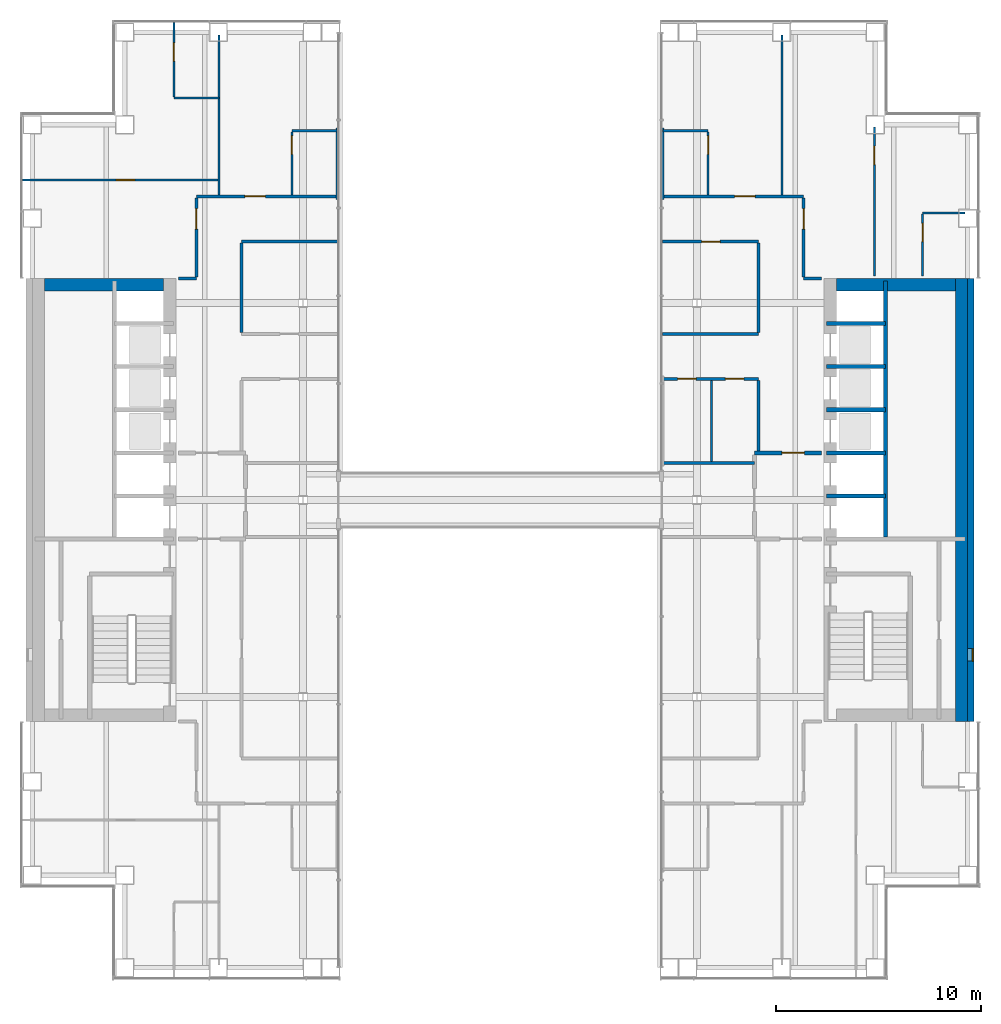
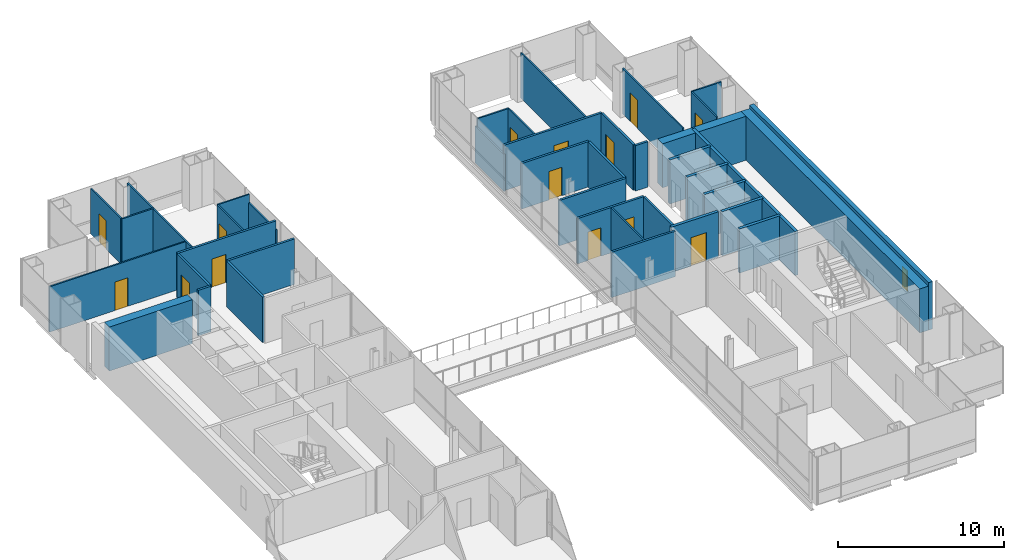
# One storey, part 13 of 16: 40 walls, 14 doors, 1 window, 15 openings.
"""IFC4 building model written with IfcOpenShell, lengths in metres."""

from ifc_helpers import new_model, si_unit, direction, frame, frame_2d, origin, place, context, subcontext, project, spatial, rectangle, extrude, material, layer, layer_set, type_object, element, fill, save


model = new_model("IFC4")

# Units and contexts
model_context = context("Model", 3, precision=1e-05, world=origin(), true_north=direction((0.0, 1.0)))
body_context = subcontext(model_context, "Body", "Model", "MODEL_VIEW")
ifc_project = project(units=[si_unit("LENGTHUNIT", "METRE"), si_unit("AREAUNIT", "SQUARE_METRE"), si_unit("VOLUMEUNIT", "CUBIC_METRE"), si_unit("PLANEANGLEUNIT", "RADIAN"), si_unit("MASSUNIT", "GRAM", prefix="KILO")], contexts=[model_context])

# Site, building, storey
site_placement = place(None, origin())
site = spatial("IfcSite", under=ifc_project, at=site_placement, CompositionType="ELEMENT")
building_placement = place(site_placement, origin())
building = spatial("IfcBuilding", under=site, at=building_placement, Name="Cobrizo Arcos Hotel Tower", CompositionType="ELEMENT")
storey_placement = place(building_placement, frame((0.0, 0.0, 120.5)))
storey = spatial("IfcBuildingStorey", under=building, at=storey_placement, Name="L30", CompositionType="ELEMENT", Elevation=120.5)

# Wall
ifc_material_1 = material(Name="Gypsum board partition")
ifc_layer_1 = layer(ifc_material_1, 0.14990234375)
ifc_layer_set_1 = layer_set([ifc_layer_1], Name="Corridor wall EI 60 150")
wall_type_1 = type_object("IfcWallType", Name="Corridor wall EI 60 150", PredefinedType="PARTITIONING", material=ifc_layer_set_1)
wall_1_placement = place(storey_placement, frame((7.949951171875, 1.800048828125, 0.0), z_axis=(0.0, 0.0, 1.0), x_axis=(1.0, 0.0, 0.0)))
element("IfcWall", 1, at=wall_1_placement, inside=storey, type_object=wall_type_1, Name="Partition 023", PredefinedType="PARTITIONING", context=body_context, shape_type="SweptSolid", body=[
    extrude(rectangle(XDim=4.449951171875, YDim=0.14990234375, at=frame_2d((2.22509765625, 0.0))), origin(), (0.0, 0.0, 1.0), 3.35009765625),
])

# Wall, openings, doors
wall_2_placement = place(storey_placement, frame((7.949951171875, 5.89990234375, 0.0), z_axis=(0.0, 0.0, 1.0), x_axis=(1.0, 0.0, 0.0)))
wall_2 = element("IfcWall", 2, at=wall_2_placement, inside=storey, type_object=wall_type_1, Name="Partition 031", PredefinedType="PARTITIONING", context=body_context, shape_type="SweptSolid", body=[
    extrude(rectangle(XDim=4.650146484375, YDim=0.14990234375, at=frame_2d((2.3251953125, 0.0))), origin(), (0.0, 0.0, 1.0), 3.35009765625),
])
opening_1_placement = place(wall_2_placement, frame((0.712890625, 0.0, 0.0)))
opening_1 = element("IfcOpeningElement", 3, at=opening_1_placement, cuts=wall_2, Name="Opening ED-10", PredefinedType="OPENING", context=body_context, shape_type="SweptSolid", body=[
    extrude(rectangle(XDim=0.89990234375, YDim=2.10009765625, at=frame_2d((0.449951171875, 1.050048828125))), frame((0.0, 0.0869140625, 0.0), z_axis=(0.0, -1.0, 0.0), x_axis=(1.0, 0.0, 0.0)), (0.0, 0.0, 1.0), 0.173828125),
])
opening_2_placement = place(wall_2_placement, frame((3.037109375, 0.0, 0.0)))
opening_2 = element("IfcOpeningElement", 4, at=opening_2_placement, cuts=wall_2, Name="Opening ED-11", PredefinedType="OPENING", context=body_context, shape_type="SweptSolid", body=[
    extrude(rectangle(XDim=0.89990234375, YDim=2.10009765625, at=frame_2d((0.449951171875, 1.050048828125))), frame((0.0, 0.0869140625, 0.0), z_axis=(0.0, -1.0, 0.0), x_axis=(1.0, 0.0, 0.0)), (0.0, 0.0, 1.0), 0.173828125),
])
ifc_material_2 = material(Name="Timber door leaf", Category="wood")
door_type_1 = type_object("IfcDoorType", Name="En-suite door 900x2100", OperationType="SINGLE_SWING_LEFT", PredefinedType="DOOR", material=ifc_material_2)
door_1_placement = place(opening_1_placement, origin())
door_1 = element("IfcDoor", 5, at=door_1_placement, inside=storey, type_object=door_type_1, Name="Door ED-10", OperationType="SINGLE_SWING_LEFT", OverallHeight=2.10009765625, OverallWidth=0.89990234375, PredefinedType="DOOR", context=body_context, shape_type="SweptSolid", body=[
    extrude(rectangle(XDim=0.89990234375, YDim=2.10009765625, at=frame_2d((0.449951171875, 1.050048828125))), frame((0.0, 0.02490234375, 0.0), z_axis=(0.0, -1.0, 0.0), x_axis=(1.0, 0.0, 0.0)), (0.0, 0.0, 1.0), 0.050048828125),
])
fill(opening_1, door_1)
door_2_placement = place(opening_2_placement, origin())
door_2 = element("IfcDoor", 6, at=door_2_placement, inside=storey, type_object=door_type_1, Name="Door ED-11", OperationType="SINGLE_SWING_RIGHT", OverallHeight=2.10009765625, OverallWidth=0.89990234375, PredefinedType="DOOR", context=body_context, shape_type="SweptSolid", body=[
    extrude(rectangle(XDim=0.89990234375, YDim=2.10009765625, at=frame_2d((0.449951171875, 1.050048828125))), frame((0.0, 0.02490234375, 0.0), z_axis=(0.0, -1.0, 0.0), x_axis=(1.0, 0.0, 0.0)), (0.0, 0.0, 1.0), 0.050048828125),
])
fill(opening_2, door_2)

# Walls
wall_3_placement = place(storey_placement, frame((7.919921875, 8.10009765625, 0.0), z_axis=(0.0, 0.0, 1.0), x_axis=(1.0, 0.0, 0.0)))
element("IfcWall", 7, at=wall_3_placement, inside=storey, type_object=wall_type_1, Name="Partition 035", PredefinedType="PARTITIONING", context=body_context, shape_type="SweptSolid", body=[
    extrude(rectangle(XDim=4.68017578125, YDim=0.14990234375, at=frame_2d((2.340087890625, 0.0))), origin(), (0.0, 0.0, 1.0), 3.35009765625),
])
for number, where, z_axis, x_axis, name in (
    (8, (-15.679931640625, 10.800048828125, 0.0), (0.0, 0.0, 1.0), (1.0, 0.0, 0.0), "Partition 038"),
    (9, (14.800048828125, 10.800048828125, 0.0), (0.0, 0.0, 1.0), (1.0, 0.0, 0.0), "Partition 039"),
):
    element("IfcWall", number, at=place(storey_placement, frame(where, z_axis=z_axis, x_axis=x_axis)), inside=storey, type_object=wall_type_1, Name=name, PredefinedType="PARTITIONING", context=body_context, shape_type="SweptSolid", body=[
        extrude(rectangle(XDim=0.8798828125, YDim=0.14990234375, at=frame_2d((0.43994140625, 0.0))), origin(), (0.0, 0.0, 1.0), 3.35009765625),
    ])
wall_4_placement = place(storey_placement, frame((-12.60009765625, 12.60009765625, 0.0), z_axis=(0.0, 0.0, 1.0), x_axis=(1.0, 0.0, 0.0)))
element("IfcWall", 10, at=wall_4_placement, inside=storey, type_object=wall_type_1, Name="Partition 040", PredefinedType="PARTITIONING", context=body_context, shape_type="SweptSolid", body=[
    extrude(rectangle(XDim=4.68017578125, YDim=0.14990234375, at=frame_2d((2.340087890625, 0.0))), origin(), (0.0, 0.0, 1.0), 3.35009765625),
])

# Wall, opening, door
wall_5_placement = place(storey_placement, frame((7.919921875, 12.60009765625, 0.0), z_axis=(0.0, 0.0, 1.0), x_axis=(1.0, 0.0, 0.0)))
wall_5 = element("IfcWall", 11, at=wall_5_placement, inside=storey, type_object=wall_type_1, Name="Partition 041", PredefinedType="PARTITIONING", context=body_context, shape_type="SweptSolid", body=[
    extrude(rectangle(XDim=4.68017578125, YDim=0.14990234375, at=frame_2d((2.340087890625, 0.0))), origin(), (0.0, 0.0, 1.0), 3.35009765625),
])
opening_3_placement = place(wall_5_placement, frame((1.905029296875, 0.0, 0.0)))
opening_3 = element("IfcOpeningElement", 12, at=opening_3_placement, cuts=wall_5, Name="Opening RD-07", PredefinedType="OPENING", context=body_context, shape_type="SweptSolid", body=[
    extrude(rectangle(XDim=0.89990234375, YDim=2.10009765625, at=frame_2d((0.449951171875, 1.050048828125))), frame((0.0, 0.0869140625, 0.0), z_axis=(0.0, -1.0, 0.0), x_axis=(1.0, 0.0, 0.0)), (0.0, 0.0, 1.0), 0.173828125),
])
door_type_2 = type_object("IfcDoorType", Name="Room door FD30 900x2100", OperationType="SINGLE_SWING_LEFT", PredefinedType="DOOR", material=ifc_material_2)
door_3_placement = place(opening_3_placement, origin())
door_3 = element("IfcDoor", 13, at=door_3_placement, inside=storey, type_object=door_type_2, Name="Door RD-07", OperationType="SINGLE_SWING_RIGHT", OverallHeight=2.10009765625, OverallWidth=0.89990234375, PredefinedType="DOOR", context=body_context, shape_type="SweptSolid", body=[
    extrude(rectangle(XDim=0.89990234375, YDim=2.10009765625, at=frame_2d((0.449951171875, 1.050048828125))), frame((0.0, 0.02490234375, 0.0), z_axis=(0.0, -1.0, 0.0), x_axis=(1.0, 0.0, 0.0)), (0.0, 0.0, 1.0), 0.050048828125),
])
fill(opening_3, door_3)

wall_6_placement = place(storey_placement, frame((-14.800048828125, 14.800048828125, 0.0), z_axis=(0.0, 0.0, 1.0), x_axis=(1.0, 0.0, 0.0)))
wall_6 = element("IfcWall", 14, at=wall_6_placement, inside=storey, type_object=wall_type_1, Name="Partition 043", PredefinedType="PARTITIONING", context=body_context, shape_type="SweptSolid", body=[
    extrude(rectangle(XDim=6.85009765625, YDim=0.14990234375, at=frame_2d((3.425048828125, 0.0))), origin(), (0.0, 0.0, 1.0), 3.35009765625),
])
opening_4_placement = place(wall_6_placement, frame((2.363037109375, 0.0, 0.0)))
opening_4 = element("IfcOpeningElement", 15, at=opening_4_placement, cuts=wall_6, Name="Opening GD-02", PredefinedType="OPENING", context=body_context, shape_type="SweptSolid", body=[
    extrude(rectangle(XDim=1.0, YDim=2.10009765625, at=frame_2d((0.5, 1.050048828125))), frame((0.0, 0.0869140625, 0.0), z_axis=(0.0, -1.0, 0.0), x_axis=(1.0, 0.0, 0.0)), (0.0, 0.0, 1.0), 0.173828125),
])
door_type_3 = type_object("IfcDoorType", Name="Guest room door FD30S 1000x2100", OperationType="SINGLE_SWING_LEFT", PredefinedType="DOOR", material=ifc_material_2)
door_4_placement = place(opening_4_placement, origin())
door_4 = element("IfcDoor", 16, at=door_4_placement, inside=storey, type_object=door_type_3, Name="Door GD-02", OperationType="SINGLE_SWING_RIGHT", OverallHeight=2.10009765625, OverallWidth=1.0, PredefinedType="DOOR", context=body_context, shape_type="SweptSolid", body=[
    extrude(rectangle(XDim=1.0, YDim=2.10009765625, at=frame_2d((0.5, 1.050048828125))), frame((0.0, 0.02490234375, 0.0), z_axis=(0.0, -1.0, 0.0), x_axis=(1.0, 0.0, 0.0)), (0.0, 0.0, 1.0), 0.050048828125),
])
fill(opening_4, door_4)

wall_7_placement = place(storey_placement, frame((7.949951171875, 14.800048828125, 0.0), z_axis=(0.0, 0.0, 1.0), x_axis=(1.0, 0.0, 0.0)))
wall_7 = element("IfcWall", 17, at=wall_7_placement, inside=storey, type_object=wall_type_1, Name="Partition 044", PredefinedType="PARTITIONING", context=body_context, shape_type="SweptSolid", body=[
    extrude(rectangle(XDim=6.85009765625, YDim=0.14990234375, at=frame_2d((3.425048828125, 0.0))), origin(), (0.0, 0.0, 1.0), 3.35009765625),
])
opening_5_placement = place(wall_7_placement, frame((3.487060546875, 0.0, 0.0)))
opening_5 = element("IfcOpeningElement", 18, at=opening_5_placement, cuts=wall_7, Name="Opening GD-01", PredefinedType="OPENING", context=body_context, shape_type="SweptSolid", body=[
    extrude(rectangle(XDim=1.0, YDim=2.10009765625, at=frame_2d((0.5, 1.050048828125))), frame((0.0, 0.0869140625, 0.0), z_axis=(0.0, -1.0, 0.0), x_axis=(1.0, 0.0, 0.0)), (0.0, 0.0, 1.0), 0.173828125),
])
door_5_placement = place(opening_5_placement, origin())
door_5 = element("IfcDoor", 19, at=door_5_placement, inside=storey, type_object=door_type_3, Name="Door GD-01", OperationType="SINGLE_SWING_RIGHT", OverallHeight=2.10009765625, OverallWidth=1.0, PredefinedType="DOOR", context=body_context, shape_type="SweptSolid", body=[
    extrude(rectangle(XDim=1.0, YDim=2.10009765625, at=frame_2d((0.5, 1.050048828125))), frame((0.0, 0.02490234375, 0.0), z_axis=(0.0, -1.0, 0.0), x_axis=(1.0, 0.0, 0.0)), (0.0, 0.0, 1.0), 0.050048828125),
])
fill(opening_5, door_5)

wall_8_placement = place(storey_placement, frame((-14.800048828125, 10.875, 0.0), z_axis=(0.0, 0.0, 1.0), x_axis=(0.0, 1.0, 0.0)))
wall_8 = element("IfcWall", 20, at=wall_8_placement, inside=storey, type_object=wall_type_1, Name="Partition 055", PredefinedType="PARTITIONING", context=body_context, shape_type="SweptSolid", body=[
    extrude(rectangle(XDim=3.85009765625, YDim=0.14990234375, at=frame_2d((1.925048828125, 0.0))), origin(), (0.0, 0.0, 1.0), 3.35009765625),
])
opening_6_placement = place(wall_8_placement, frame((2.324951171875, 0.0, 0.0)))
opening_6 = element("IfcOpeningElement", 21, at=opening_6_placement, cuts=wall_8, Name="Opening GD-06", PredefinedType="OPENING", context=body_context, shape_type="SweptSolid", body=[
    extrude(rectangle(XDim=1.0, YDim=2.10009765625, at=frame_2d((0.5, 1.050048828125))), frame((0.0, 0.0869140625, 0.0), z_axis=(0.0, -1.0, 0.0), x_axis=(1.0, 0.0, 0.0)), (0.0, 0.0, 1.0), 0.173828125),
])
door_6_placement = place(opening_6_placement, origin())
door_6 = element("IfcDoor", 22, at=door_6_placement, inside=storey, type_object=door_type_3, Name="Door GD-06", OperationType="SINGLE_SWING_LEFT", OverallHeight=2.10009765625, OverallWidth=1.0, PredefinedType="DOOR", context=body_context, shape_type="SweptSolid", body=[
    extrude(rectangle(XDim=1.0, YDim=2.10009765625, at=frame_2d((0.5, 1.050048828125))), frame((0.0, 0.02490234375, 0.0), z_axis=(0.0, -1.0, 0.0), x_axis=(1.0, 0.0, 0.0)), (0.0, 0.0, 1.0), 0.050048828125),
])
fill(opening_6, door_6)

# Walls
wall_9_placement = place(storey_placement, frame((-12.60009765625, 8.175048828125, 0.0), z_axis=(0.0, 0.0, 1.0), x_axis=(0.0, 1.0, 0.0)))
element("IfcWall", 23, at=wall_9_placement, inside=storey, type_object=wall_type_1, Name="Partition 060", PredefinedType="PARTITIONING", context=body_context, shape_type="SweptSolid", body=[
    extrude(rectangle(XDim=4.349853515625, YDim=0.14990234375, at=frame_2d((2.1748046875, 0.0))), origin(), (0.0, 0.0, 1.0), 3.35009765625),
])
wall_10_placement = place(storey_placement, frame((12.60009765625, 2.39990234375, 0.0), z_axis=(0.0, 0.0, 1.0), x_axis=(0.0, 1.0, 0.0)))
element("IfcWall", 24, at=wall_10_placement, inside=storey, type_object=wall_type_1, Name="Partition 074", PredefinedType="PARTITIONING", context=body_context, shape_type="SweptSolid", body=[
    extrude(rectangle(XDim=3.425048828125, YDim=0.14990234375, at=frame_2d((1.71240234375, 0.0))), origin(), (0.0, 0.0, 1.0), 3.35009765625),
])
wall_11_placement = place(storey_placement, frame((12.60009765625, 8.175048828125, 0.0), z_axis=(0.0, 0.0, 1.0), x_axis=(0.0, 1.0, 0.0)))
element("IfcWall", 25, at=wall_11_placement, inside=storey, type_object=wall_type_1, Name="Partition 075", PredefinedType="PARTITIONING", context=body_context, shape_type="SweptSolid", body=[
    extrude(rectangle(XDim=4.349853515625, YDim=0.14990234375, at=frame_2d((2.1748046875, 0.0))), origin(), (0.0, 0.0, 1.0), 3.35009765625),
])

# Wall, opening, door
wall_12_placement = place(storey_placement, frame((14.800048828125, 10.875, 0.0), z_axis=(0.0, 0.0, 1.0), x_axis=(0.0, 1.0, 0.0)))
wall_12 = element("IfcWall", 26, at=wall_12_placement, inside=storey, type_object=wall_type_1, Name="Partition 079", PredefinedType="PARTITIONING", context=body_context, shape_type="SweptSolid", body=[
    extrude(rectangle(XDim=3.85009765625, YDim=0.14990234375, at=frame_2d((1.925048828125, 0.0))), origin(), (0.0, 0.0, 1.0), 3.35009765625),
])
opening_7_placement = place(wall_12_placement, frame((2.324951171875, 0.0, 0.0)))
opening_7 = element("IfcOpeningElement", 27, at=opening_7_placement, cuts=wall_12, Name="Opening GD-08", PredefinedType="OPENING", context=body_context, shape_type="SweptSolid", body=[
    extrude(rectangle(XDim=1.0, YDim=2.10009765625, at=frame_2d((0.5, 1.050048828125))), frame((0.0, 0.0869140625, 0.0), z_axis=(0.0, -1.0, 0.0), x_axis=(1.0, 0.0, 0.0)), (0.0, 0.0, 1.0), 0.173828125),
])
door_7_placement = place(opening_7_placement, origin())
door_7 = element("IfcDoor", 28, at=door_7_placement, inside=storey, type_object=door_type_3, Name="Door GD-08", OperationType="SINGLE_SWING_RIGHT", OverallHeight=2.10009765625, OverallWidth=1.0, PredefinedType="DOOR", context=body_context, shape_type="SweptSolid", body=[
    extrude(rectangle(XDim=1.0, YDim=2.10009765625, at=frame_2d((0.5, 1.050048828125))), frame((0.0, 0.02490234375, 0.0), z_axis=(0.0, -1.0, 0.0), x_axis=(1.0, 0.0, 0.0)), (0.0, 0.0, 1.0), 0.050048828125),
])
fill(opening_7, door_7)

# Wall, opening, window
ifc_material_3 = material(Name="Aluminium composite panel pale metal", Category="aluminium")
ifc_layer_2 = layer(ifc_material_3, 0.300048828125)
ifc_layer_set_2 = layer_set([ifc_layer_2], Name="EW-1 insulated panel wall 300")
wall_type_2 = type_object("IfcWallType", Name="EW-1 insulated panel wall 300", PredefinedType="SOLIDWALL", material=ifc_layer_set_2)
wall_13_placement = place(storey_placement, frame((22.949951171875, -10.800048828125, 0.0), z_axis=(0.0, 0.0, 1.0), x_axis=(0.0, 1.0, 0.0)))
wall_13 = element("IfcWall", 29, at=wall_13_placement, inside=storey, type_object=wall_type_2, Name="Core face wall L30 E", PredefinedType="SOLIDWALL", context=body_context, shape_type="SweptSolid", body=[
    extrude(rectangle(XDim=21.60009765625, YDim=0.300048828125, at=frame_2d((10.800048828125, 0.0))), origin(), (0.0, 0.0, 1.0), 3.5),
])
opening_8_placement = place(wall_13_placement, frame((2.949951171875, 0.0, 1.0)))
opening_8 = element("IfcOpeningElement", 30, at=opening_8_placement, cuts=wall_13, Name="Opening W-61", PredefinedType="OPENING", context=body_context, shape_type="SweptSolid", body=[
    extrude(rectangle(XDim=0.60009765625, YDim=1.5, at=frame_2d((0.300048828125, 0.75))), frame((0.0, 0.162109375, 0.0), z_axis=(0.0, -1.0, 0.0), x_axis=(1.0, 0.0, 0.0)), (0.0, 0.0, 1.0), 0.323974609375),
])
ifc_material_4 = material(Name="Aluminium 6063-T6 and clear laminated glass", Category="aluminium")
window_type = type_object("IfcWindowType", Name="W-C1 core stair slot window 600x1500", PartitioningType="SINGLE_PANEL", PredefinedType="WINDOW", material=ifc_material_4)
window_placement = place(opening_8_placement, origin())
window = element("IfcWindow", 31, at=window_placement, inside=storey, type_object=window_type, Name="Core face wall L30 E window W-61", OverallHeight=1.5, OverallWidth=0.60009765625, PartitioningType="SINGLE_PANEL", PredefinedType="WINDOW", context=body_context, shape_type="SweptSolid", body=[
    extrude(rectangle(XDim=0.60009765625, YDim=1.5, at=frame_2d((0.300048828125, 0.75))), frame((0.0, -0.06005859375, 0.0), z_axis=(0.0, -1.0, 0.0), x_axis=(1.0, 0.0, 0.0)), (0.0, 0.0, 1.0), 0.06005859375),
])
fill(opening_8, window)

# Wall
ifc_layer_3 = layer(ifc_material_1, 0.10009765625)
ifc_layer_set_3 = layer_set([ifc_layer_3], Name="Partition EI 30 100")
wall_type_3 = type_object("IfcWallType", Name="Partition EI 30 100", PredefinedType="PARTITIONING", material=ifc_layer_set_3)
wall_14_placement = place(storey_placement, frame((20.60009765625, 14.0, 0.0), z_axis=(0.0, 0.0, 1.0), x_axis=(1.0, 0.0, 0.0)))
element("IfcWall", 32, at=wall_14_placement, inside=storey, type_object=wall_type_3, Name="Partition 042", PredefinedType="PARTITIONING", context=body_context, shape_type="SweptSolid", body=[
    extrude(rectangle(XDim=2.079833984375, YDim=0.10009765625, at=frame_2d((1.0400390625, 0.0))), origin(), (0.0, 0.0, 1.0), 3.35009765625),
])

# Wall, opening, door
wall_15_placement = place(storey_placement, frame((-23.280029296875, 15.60009765625, 0.0), z_axis=(0.0, 0.0, 1.0), x_axis=(1.0, 0.0, 0.0)))
wall_15 = element("IfcWall", 33, at=wall_15_placement, inside=storey, type_object=wall_type_3, Name="Partition 045", PredefinedType="PARTITIONING", context=body_context, shape_type="SweptSolid", body=[
    extrude(rectangle(XDim=9.580078125, YDim=0.10009765625, at=frame_2d((4.7900390625, 0.0))), origin(), (0.0, 0.0, 1.0), 3.35009765625),
])
opening_9_placement = place(wall_15_placement, frame((4.568115234375, 0.0, 0.0)))
opening_9 = element("IfcOpeningElement", 34, at=opening_9_placement, cuts=wall_15, Name="Opening RD-03", PredefinedType="OPENING", context=body_context, shape_type="SweptSolid", body=[
    extrude(rectangle(XDim=0.89990234375, YDim=2.10009765625, at=frame_2d((0.449951171875, 1.050048828125))), frame((0.0, 0.06201171875, 0.0), z_axis=(0.0, -1.0, 0.0), x_axis=(1.0, 0.0, 0.0)), (0.0, 0.0, 1.0), 0.1240234375),
])
door_8_placement = place(opening_9_placement, origin())
door_8 = element("IfcDoor", 35, at=door_8_placement, inside=storey, type_object=door_type_2, Name="Door RD-03", OperationType="SINGLE_SWING_RIGHT", OverallHeight=2.10009765625, OverallWidth=0.89990234375, PredefinedType="DOOR", context=body_context, shape_type="SweptSolid", body=[
    extrude(rectangle(XDim=0.89990234375, YDim=2.10009765625, at=frame_2d((0.449951171875, 1.050048828125))), frame((0.0, 0.02490234375, 0.0), z_axis=(0.0, -1.0, 0.0), x_axis=(1.0, 0.0, 0.0)), (0.0, 0.0, 1.0), 0.050048828125),
])
fill(opening_9, door_8)

# Walls
for number, where, z_axis, x_axis, name in (
    (36, (-10.14990234375, 18.0, 0.0), (0.0, 0.0, 1.0), (1.0, 0.0, 0.0), "Partition 046"),
    (37, (7.949951171875, 18.0, 0.0), (0.0, 0.0, 1.0), (1.0, 0.0, 0.0), "Partition 047"),
    (38, (-15.89990234375, 19.60009765625, 0.0), (0.0, 0.0, 1.0), (1.0, 0.0, 0.0), "Partition 048"),
):
    element("IfcWall", number, at=place(storey_placement, frame(where, z_axis=z_axis, x_axis=x_axis)), inside=storey, type_object=wall_type_3, Name=name, PredefinedType="PARTITIONING", context=body_context, shape_type="SweptSolid", body=[
        extrude(rectangle(XDim=2.199951171875, YDim=0.10009765625, at=frame_2d((1.10009765625, 0.0))), origin(), (0.0, 0.0, 1.0), 3.35009765625),
    ])

# Wall, opening, door
wall_16_placement = place(storey_placement, frame((-15.89990234375, 19.64990234375, 0.0), z_axis=(0.0, 0.0, 1.0), x_axis=(0.0, 1.0, 0.0)))
wall_16 = element("IfcWall", 39, at=wall_16_placement, inside=storey, type_object=wall_type_3, Name="Partition 053", PredefinedType="PARTITIONING", context=body_context, shape_type="SweptSolid", body=[
    extrude(rectangle(XDim=3.630126953125, YDim=0.10009765625, at=frame_2d((1.81494140625, 0.0))), origin(), (0.0, 0.0, 1.0), 3.35009765625),
])
opening_10_placement = place(wall_16_placement, frame((1.739990234375, 0.0, 0.0)))
opening_10 = element("IfcOpeningElement", 40, at=opening_10_placement, cuts=wall_16, Name="Opening ED-07", PredefinedType="OPENING", context=body_context, shape_type="SweptSolid", body=[
    extrude(rectangle(XDim=0.89990234375, YDim=2.10009765625, at=frame_2d((0.449951171875, 1.050048828125))), frame((0.0, 0.06201171875, 0.0), z_axis=(0.0, -1.0, 0.0), x_axis=(1.0, 0.0, 0.0)), (0.0, 0.0, 1.0), 0.1240234375),
])
door_9_placement = place(opening_10_placement, origin())
door_9 = element("IfcDoor", 41, at=door_9_placement, inside=storey, type_object=door_type_1, Name="Door ED-07", OperationType="SINGLE_SWING_RIGHT", OverallHeight=2.10009765625, OverallWidth=0.89990234375, PredefinedType="DOOR", context=body_context, shape_type="SweptSolid", body=[
    extrude(rectangle(XDim=0.89990234375, YDim=2.10009765625, at=frame_2d((0.449951171875, 1.050048828125))), frame((0.0, 0.02490234375, 0.0), z_axis=(0.0, -1.0, 0.0), x_axis=(1.0, 0.0, 0.0)), (0.0, 0.0, 1.0), 0.050048828125),
])
fill(opening_10, door_9)

# Wall
wall_17_placement = place(storey_placement, frame((-13.699951171875, 14.875, 0.0), z_axis=(0.0, 0.0, 1.0), x_axis=(0.0, 1.0, 0.0)))
element("IfcWall", 42, at=wall_17_placement, inside=storey, type_object=wall_type_3, Name="Partition 057", PredefinedType="PARTITIONING", context=body_context, shape_type="SweptSolid", body=[
    extrude(rectangle(XDim=7.804931640625, YDim=0.10009765625, at=frame_2d((3.90234375, 0.0))), origin(), (0.0, 0.0, 1.0), 3.35009765625),
])

# Wall, opening, door
wall_18_placement = place(storey_placement, frame((-10.14990234375, 14.875, 0.0), z_axis=(0.0, 0.0, 1.0), x_axis=(0.0, 1.0, 0.0)))
wall_18 = element("IfcWall", 43, at=wall_18_placement, inside=storey, type_object=wall_type_3, Name="Partition 063", PredefinedType="PARTITIONING", context=body_context, shape_type="SweptSolid", body=[
    extrude(rectangle(XDim=3.074951171875, YDim=0.10009765625, at=frame_2d((1.53759765625, 0.0))), origin(), (0.0, 0.0, 1.0), 3.35009765625),
])
opening_11_placement = place(wall_18_placement, frame((1.970947265625, 0.0, 0.0)))
opening_11 = element("IfcOpeningElement", 44, at=opening_11_placement, cuts=wall_18, Name="Opening ED-03", PredefinedType="OPENING", context=body_context, shape_type="SweptSolid", body=[
    extrude(rectangle(XDim=0.89990234375, YDim=2.10009765625, at=frame_2d((0.449951171875, 1.050048828125))), frame((0.0, 0.06201171875, 0.0), z_axis=(0.0, -1.0, 0.0), x_axis=(1.0, 0.0, 0.0)), (0.0, 0.0, 1.0), 0.1240234375),
])
door_10_placement = place(opening_11_placement, origin())
door_10 = element("IfcDoor", 45, at=door_10_placement, inside=storey, type_object=door_type_1, Name="Door ED-03", OperationType="SINGLE_SWING_LEFT", OverallHeight=2.10009765625, OverallWidth=0.89990234375, PredefinedType="DOOR", context=body_context, shape_type="SweptSolid", body=[
    extrude(rectangle(XDim=0.89990234375, YDim=2.10009765625, at=frame_2d((0.449951171875, 1.050048828125))), frame((0.0, 0.02490234375, 0.0), z_axis=(0.0, -1.0, 0.0), x_axis=(1.0, 0.0, 0.0)), (0.0, 0.0, 1.0), 0.050048828125),
])
fill(opening_11, door_10)

# Walls
for number, where, z_axis, x_axis, name in (
    (46, (-7.949951171875, 14.659912109375, 0.0), (0.0, 0.0, 1.0), (0.0, 1.0, 0.0), "Partition 065"),
    (47, (7.949951171875, 14.659912109375, 0.0), (0.0, 0.0, 1.0), (0.0, 1.0, 0.0), "Partition 068"),
):
    element("IfcWall", number, at=place(storey_placement, frame(where, z_axis=z_axis, x_axis=x_axis)), inside=storey, type_object=wall_type_3, Name=name, PredefinedType="PARTITIONING", context=body_context, shape_type="SweptSolid", body=[
        extrude(rectangle(XDim=3.47998046875, YDim=0.10009765625, at=frame_2d((1.739990234375, 0.0))), origin(), (0.0, 0.0, 1.0), 2.73291015625),
    ])

# Wall, opening, door
wall_19_placement = place(storey_placement, frame((10.14990234375, 14.875, 0.0), z_axis=(0.0, 0.0, 1.0), x_axis=(0.0, 1.0, 0.0)))
wall_19 = element("IfcWall", 48, at=wall_19_placement, inside=storey, type_object=wall_type_3, Name="Partition 070", PredefinedType="PARTITIONING", context=body_context, shape_type="SweptSolid", body=[
    extrude(rectangle(XDim=3.074951171875, YDim=0.10009765625, at=frame_2d((1.53759765625, 0.0))), origin(), (0.0, 0.0, 1.0), 3.35009765625),
])
opening_12_placement = place(wall_19_placement, frame((1.970947265625, 0.0, 0.0)))
opening_12 = element("IfcOpeningElement", 49, at=opening_12_placement, cuts=wall_19, Name="Opening ED-02", PredefinedType="OPENING", context=body_context, shape_type="SweptSolid", body=[
    extrude(rectangle(XDim=0.89990234375, YDim=2.10009765625, at=frame_2d((0.449951171875, 1.050048828125))), frame((0.0, 0.06201171875, 0.0), z_axis=(0.0, -1.0, 0.0), x_axis=(1.0, 0.0, 0.0)), (0.0, 0.0, 1.0), 0.1240234375),
])
door_11_placement = place(opening_12_placement, origin())
door_11 = element("IfcDoor", 50, at=door_11_placement, inside=storey, type_object=door_type_1, Name="Door ED-02", OperationType="SINGLE_SWING_RIGHT", OverallHeight=2.10009765625, OverallWidth=0.89990234375, PredefinedType="DOOR", context=body_context, shape_type="SweptSolid", body=[
    extrude(rectangle(XDim=0.89990234375, YDim=2.10009765625, at=frame_2d((0.449951171875, 1.050048828125))), frame((0.0, 0.02490234375, 0.0), z_axis=(0.0, -1.0, 0.0), x_axis=(1.0, 0.0, 0.0)), (0.0, 0.0, 1.0), 0.050048828125),
])
fill(opening_12, door_11)

# Walls
wall_20_placement = place(storey_placement, frame((10.300048828125, 1.875, 0.0), z_axis=(0.0, 0.0, 1.0), x_axis=(0.0, 1.0, 0.0)))
element("IfcWall", 51, at=wall_20_placement, inside=storey, type_object=wall_type_3, Name="Partition 071", PredefinedType="PARTITIONING", context=body_context, shape_type="SweptSolid", body=[
    extrude(rectangle(XDim=3.949951171875, YDim=0.10009765625, at=frame_2d((1.97509765625, 0.0))), origin(), (0.0, 0.0, 1.0), 3.35009765625),
])
wall_21_placement = place(storey_placement, frame((13.75, 14.875, 0.0), z_axis=(0.0, 0.0, 1.0), x_axis=(0.0, 1.0, 0.0)))
element("IfcWall", 52, at=wall_21_placement, inside=storey, type_object=wall_type_3, Name="Partition 077", PredefinedType="PARTITIONING", context=body_context, shape_type="SweptSolid", body=[
    extrude(rectangle(XDim=7.804931640625, YDim=0.10009765625, at=frame_2d((3.90234375, 0.0))), origin(), (0.0, 0.0, 1.0), 3.35009765625),
])

# Wall, opening, door
wall_22_placement = place(storey_placement, frame((18.25, 10.919921875, 0.0), z_axis=(0.0, 0.0, 1.0), x_axis=(0.0, 1.0, 0.0)))
wall_22 = element("IfcWall", 53, at=wall_22_placement, inside=storey, type_object=wall_type_3, Name="Partition 081", PredefinedType="PARTITIONING", context=body_context, shape_type="SweptSolid", body=[
    extrude(rectangle(XDim=7.27099609375, YDim=0.10009765625, at=frame_2d((3.635498046875, 0.0))), origin(), (0.0, 0.0, 1.0), 3.35009765625),
])
opening_13_placement = place(wall_22_placement, frame((5.429931640625, 0.0, 0.0)))
opening_13 = element("IfcOpeningElement", 54, at=opening_13_placement, cuts=wall_22, Name="Opening RD-05", PredefinedType="OPENING", context=body_context, shape_type="SweptSolid", body=[
    extrude(rectangle(XDim=0.89990234375, YDim=2.10009765625, at=frame_2d((0.449951171875, 1.050048828125))), frame((0.0, 0.06201171875, 0.0), z_axis=(0.0, -1.0, 0.0), x_axis=(1.0, 0.0, 0.0)), (0.0, 0.0, 1.0), 0.1240234375),
])
door_12_placement = place(opening_13_placement, origin())
door_12 = element("IfcDoor", 55, at=door_12_placement, inside=storey, type_object=door_type_2, Name="Door RD-05", OperationType="SINGLE_SWING_LEFT", OverallHeight=2.10009765625, OverallWidth=0.89990234375, PredefinedType="DOOR", context=body_context, shape_type="SweptSolid", body=[
    extrude(rectangle(XDim=0.89990234375, YDim=2.10009765625, at=frame_2d((0.449951171875, 1.050048828125))), frame((0.0, 0.02490234375, 0.0), z_axis=(0.0, -1.0, 0.0), x_axis=(1.0, 0.0, 0.0)), (0.0, 0.0, 1.0), 0.050048828125),
])
fill(opening_13, door_12)

wall_23_placement = place(storey_placement, frame((20.60009765625, 10.919921875, 0.0), z_axis=(0.0, 0.0, 1.0), x_axis=(0.0, 1.0, 0.0)))
wall_23 = element("IfcWall", 56, at=wall_23_placement, inside=storey, type_object=wall_type_3, Name="Partition 085", PredefinedType="PARTITIONING", context=body_context, shape_type="SweptSolid", body=[
    extrude(rectangle(XDim=3.030029296875, YDim=0.10009765625, at=frame_2d((1.51513671875, 0.0))), origin(), (0.0, 0.0, 1.0), 3.35009765625),
])
opening_14_placement = place(wall_23_placement, frame((1.669921875, 0.0, 0.0)))
opening_14 = element("IfcOpeningElement", 57, at=opening_14_placement, cuts=wall_23, Name="Opening ED-09", PredefinedType="OPENING", context=body_context, shape_type="SweptSolid", body=[
    extrude(rectangle(XDim=0.89990234375, YDim=2.10009765625, at=frame_2d((0.449951171875, 1.050048828125))), frame((0.0, 0.06201171875, 0.0), z_axis=(0.0, -1.0, 0.0), x_axis=(1.0, 0.0, 0.0)), (0.0, 0.0, 1.0), 0.1240234375),
])
door_13_placement = place(opening_14_placement, origin())
door_13 = element("IfcDoor", 58, at=door_13_placement, inside=storey, type_object=door_type_1, Name="Door ED-09", OperationType="SINGLE_SWING_LEFT", OverallHeight=2.10009765625, OverallWidth=0.89990234375, PredefinedType="DOOR", context=body_context, shape_type="SweptSolid", body=[
    extrude(rectangle(XDim=0.89990234375, YDim=2.10009765625, at=frame_2d((0.449951171875, 1.050048828125))), frame((0.0, 0.02490234375, 0.0), z_axis=(0.0, -1.0, 0.0), x_axis=(1.0, 0.0, 0.0)), (0.0, 0.0, 1.0), 0.050048828125),
])
fill(opening_14, door_13)

# Walls
ifc_material_5 = material(Name="Concrete f'c 50 MPa", Category="concrete")
ifc_layer_4 = layer(ifc_material_5, 0.60009765625)
ifc_layer_set_4 = layer_set([ifc_layer_4], Name="RC core wall 600 f'c 50")
wall_type_4 = type_object("IfcWallType", Name="RC core wall 600 f'c 50", PredefinedType="SHEAR", material=ifc_layer_set_4)
wall_24_placement = place(storey_placement, frame((22.5, -10.800048828125, 0.0), z_axis=(0.0, 0.0, 1.0), x_axis=(0.0, 1.0, 0.0)))
element("IfcWall", 59, at=wall_24_placement, inside=storey, type_object=wall_type_4, Name="Core wall CW2, east core, outer face, L30", PredefinedType="SHEAR", context=body_context, shape_type="SweptSolid", body=[
    extrude(rectangle(XDim=21.60009765625, YDim=0.60009765625, at=frame_2d((10.800048828125, 0.0))), origin(), (0.0, 0.0, 1.0), 3.25),
])
for number, where, z_axis, x_axis, name in (
    (60, (16.39990234375, 10.5, 0.0), (0.0, 0.0, 1.0), (1.0, 0.0, 0.0), "Core wall CW2, east core, north end, L30"),
    (61, (-22.199951171875, 10.5, 0.0), (0.0, 0.0, 1.0), (1.0, 0.0, 0.0), "Core wall CW2, west core, north end, L30"),
):
    element("IfcWall", number, at=place(storey_placement, frame(where, z_axis=z_axis, x_axis=x_axis)), inside=storey, type_object=wall_type_4, Name=name, PredefinedType="SHEAR", context=body_context, shape_type="SweptSolid", body=[
        extrude(rectangle(XDim=5.800048828125, YDim=0.60009765625, at=frame_2d((2.89990234375, 0.0))), origin(), (0.0, 0.0, 1.0), 3.25),
    ])
ifc_layer_5 = layer(ifc_material_1, 0.199951171875)
ifc_layer_set_5 = layer_set([ifc_layer_5], Name="Shaft wall EI 120 200")
wall_type_5 = type_object("IfcWallType", Name="Shaft wall EI 120 200", PredefinedType="PARTITIONING", material=ifc_layer_set_5)
wall_25_placement = place(storey_placement, frame((15.919921875, 0.199951171875, 0.0), z_axis=(0.0, 0.0, 1.0), x_axis=(1.0, 0.0, 0.0)))
element("IfcWall", 62, at=wall_25_placement, inside=storey, type_object=wall_type_5, Name="Partition 021", PredefinedType="PARTITIONING", context=body_context, shape_type="SweptSolid", body=[
    extrude(rectangle(XDim=2.880126953125, YDim=0.199951171875, at=frame_2d((1.43994140625, 0.0))), origin(), (0.0, 0.0, 1.0), 3.25),
])

# Wall, opening, door
wall_26_placement = place(storey_placement, frame((12.39990234375, 2.300048828125, 0.0), z_axis=(0.0, 0.0, 1.0), x_axis=(1.0, 0.0, 0.0)))
wall_26 = element("IfcWall", 63, at=wall_26_placement, inside=storey, type_object=wall_type_5, Name="Partition 026", PredefinedType="PARTITIONING", context=body_context, shape_type="SweptSolid", body=[
    extrude(rectangle(XDim=3.280029296875, YDim=0.199951171875, at=frame_2d((1.64013671875, 0.0))), origin(), (0.0, 0.0, 1.0), 3.35009765625),
])
opening_15_placement = place(wall_26_placement, frame((1.340087890625, 0.0, 0.0)))
opening_15 = element("IfcOpeningElement", 64, at=opening_15_placement, cuts=wall_26, Name="Opening FD-08", PredefinedType="OPENING", context=body_context, shape_type="SweptSolid", body=[
    extrude(rectangle(XDim=1.10009765625, YDim=2.10009765625, at=frame_2d((0.550048828125, 1.050048828125))), frame((0.0, 0.112060546875, 0.0), z_axis=(0.0, -1.0, 0.0), x_axis=(1.0, 0.0, 0.0)), (0.0, 0.0, 1.0), 0.223876953125),
])
ifc_material_6 = material(Name="Steel door leaf", Category="steel")
door_type_4 = type_object("IfcDoorType", Name="Fire door FD60 1100x2100", OperationType="SINGLE_SWING_LEFT", PredefinedType="DOOR", material=ifc_material_6)
door_14_placement = place(opening_15_placement, origin())
door_14 = element("IfcDoor", 65, at=door_14_placement, inside=storey, type_object=door_type_4, Name="Door FD-08", OperationType="SINGLE_SWING_LEFT", OverallHeight=2.10009765625, OverallWidth=1.10009765625, PredefinedType="DOOR", context=body_context, shape_type="SweptSolid", body=[
    extrude(rectangle(XDim=1.10009765625, YDim=2.10009765625, at=frame_2d((0.550048828125, 1.050048828125))), frame((0.0, 0.02490234375, 0.0), z_axis=(0.0, -1.0, 0.0), x_axis=(1.0, 0.0, 0.0)), (0.0, 0.0, 1.0), 0.050048828125),
])
fill(opening_15, door_14)

# Walls
for number, where, z_axis, x_axis, name in (
    (66, (15.919921875, 2.300048828125, 0.0), (0.0, 0.0, 1.0), (1.0, 0.0, 0.0), "Partition 027"),
    (67, (15.919921875, 4.39990234375, 0.0), (0.0, 0.0, 1.0), (1.0, 0.0, 0.0), "Partition 029"),
    (68, (15.919921875, 6.5, 0.0), (0.0, 0.0, 1.0), (1.0, 0.0, 0.0), "Partition 033"),
    (69, (15.919921875, 8.60009765625, 0.0), (0.0, 0.0, 1.0), (1.0, 0.0, 0.0), "Partition 037"),
):
    element("IfcWall", number, at=place(storey_placement, frame(where, z_axis=z_axis, x_axis=x_axis)), inside=storey, type_object=wall_type_5, Name=name, PredefinedType="PARTITIONING", context=body_context, shape_type="SweptSolid", body=[
        extrude(rectangle(XDim=2.880126953125, YDim=0.199951171875, at=frame_2d((1.43994140625, 0.0))), origin(), (0.0, 0.0, 1.0), 3.25),
    ])
wall_27_placement = place(storey_placement, frame((18.800048828125, -1.800048828125, 0.0), z_axis=(0.0, 0.0, 1.0), x_axis=(0.0, 1.0, 0.0)))
element("IfcWall", 70, at=wall_27_placement, inside=storey, type_object=wall_type_5, Name="Partition 082", PredefinedType="PARTITIONING", context=body_context, shape_type="SweptSolid", body=[
    extrude(rectangle(XDim=12.47998046875, YDim=0.199951171875, at=frame_2d((6.239990234375, 0.0))), origin(), (0.0, 0.0, 1.0), 3.25),
])

save(model, "model.ifc")
